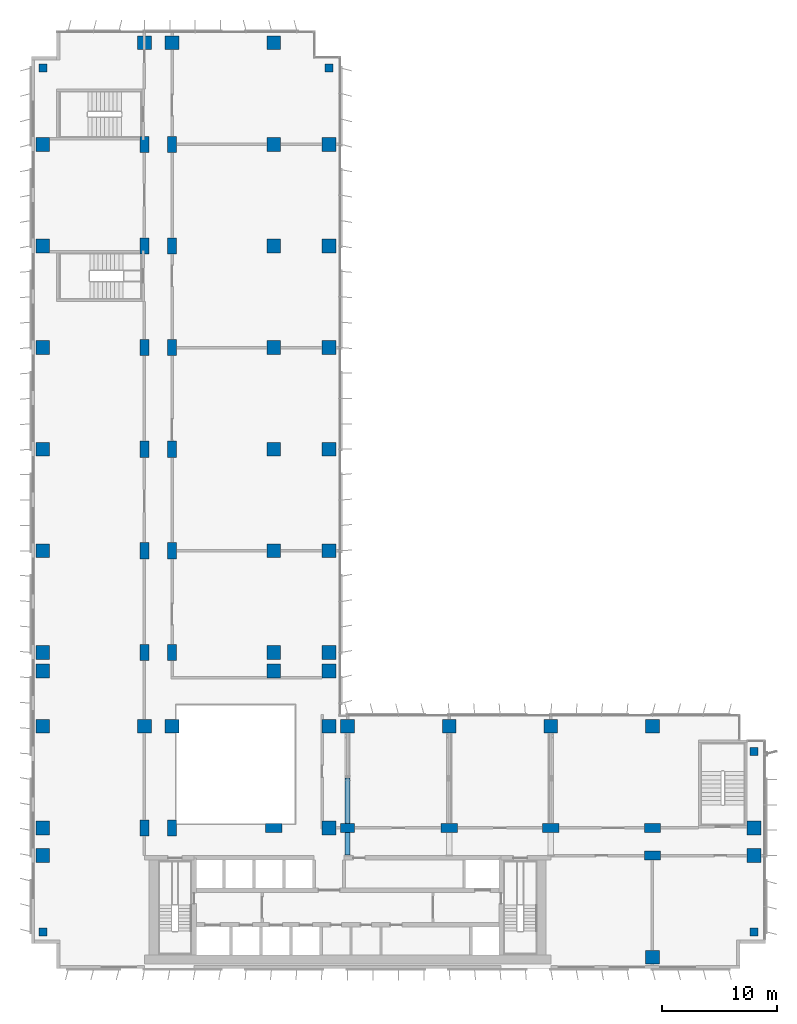
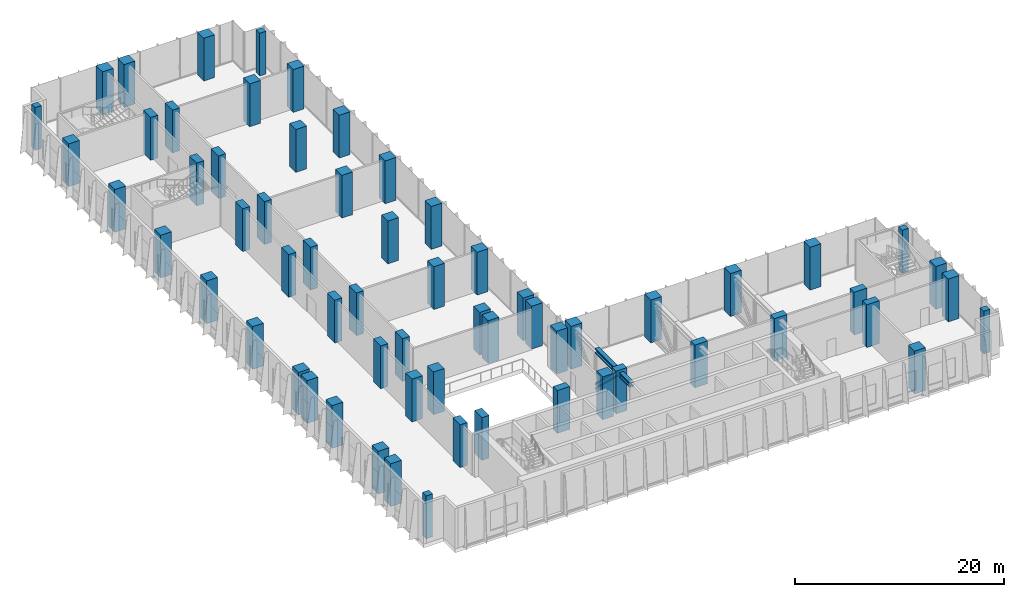
# One storey, part 1 of 21: 63 columns, 3 beams, 1 member.
"""IFC4 building model written with IfcOpenShell, lengths in metres."""

from ifc_helpers import new_model, si_unit, direction, frame, origin, origin_2d, place, context, subcontext, project, spatial, rectangle, i_section, extrude, material, material_profile, profile_set, type_object, element, save


model = new_model("IFC4")

# Units and contexts
model_context = context("Model", 3, precision=1e-05, world=origin(), true_north=direction((0.0, 1.0)))
body_context = subcontext(model_context, "Body", "Model", "MODEL_VIEW")
ifc_project = project(units=[si_unit("LENGTHUNIT", "METRE"), si_unit("AREAUNIT", "SQUARE_METRE"), si_unit("VOLUMEUNIT", "CUBIC_METRE"), si_unit("PLANEANGLEUNIT", "RADIAN"), si_unit("MASSUNIT", "GRAM", prefix="KILO")], contexts=[model_context])

# Site, building, storey
site_placement = place(None, origin())
site = spatial("IfcSite", under=ifc_project, at=site_placement, CompositionType="ELEMENT")
building_placement = place(site_placement, origin())
building = spatial("IfcBuilding", under=site, at=building_placement, Name="Kemantara Hotel Tower", CompositionType="ELEMENT")
storey_placement = place(building_placement, frame((0.0, 0.0, 133.300048828125)))
storey = spatial("IfcBuildingStorey", under=building, at=storey_placement, Name="L32", CompositionType="ELEMENT", Elevation=133.300048828125)

# Columns
ifc_material_1 = material(Name="Concrete fc 70 MPa", Category="concrete")
ifc_material_profile_1 = material_profile(ifc_material_1, rectangle(XDim=1.199951171875, YDim=1.199951171875, at=origin_2d()), Name="RC 1200X1200")
ifc_profile_set_1 = profile_set([ifc_material_profile_1], Name="Concrete fc 70 MPa")
column_type_1 = type_object("IfcColumnType", Name="RC COLUMN 1200X1200 FC70", PredefinedType="COLUMN", material=ifc_profile_set_1)
for number, where, z_axis, x_axis, name in (
    (1, (1.0, 9.800048828125, 0.0), (0.0, 0.0, 1.0), (1.0, 0.0, 0.0), "COLUMN 1/B L32"),
    (2, (1.0, 12.199951171875, 0.0), (0.0, 0.0, 1.0), (1.0, 0.0, 0.0), "COLUMN 1/BA L32"),
    (3, (1.0, 21.0, 0.0), (0.0, 0.0, 1.0), (1.0, 0.0, 0.0), "COLUMN 1/C L32"),
    (4, (1.0, 25.800048828125, 0.0), (0.0, 0.0, 1.0), (1.0, 0.0, 0.0), "COLUMN 1/CA L32"),
    (5, (1.0, 27.39990234375, 0.0), (0.0, 0.0, 1.0), (1.0, 0.0, 0.0), "COLUMN 1/D L32"),
    (6, (1.0, 36.199951171875, 0.0), (0.0, 0.0, 1.0), (1.0, 0.0, 0.0), "COLUMN 1/E L32"),
    (7, (1.0, 45.0, 0.0), (0.0, 0.0, 1.0), (1.0, 0.0, 0.0), "COLUMN 1/F L32"),
    (8, (1.0, 53.800048828125, 0.0), (0.0, 0.0, 1.0), (1.0, 0.0, 0.0), "COLUMN 1/G L32"),
    (9, (1.0, 62.60009765625, 0.0), (0.0, 0.0, 1.0), (1.0, 0.0, 0.0), "COLUMN 1/H L32"),
    (10, (1.0, 71.39990234375, 0.0), (0.0, 0.0, 1.0), (1.0, 0.0, 0.0), "COLUMN 1/J L32"),
    (11, (9.800048828125, 21.0, 0.0), (0.0, 0.0, 1.0), (1.0, 0.0, 0.0), "COLUMN 2/C L32"),
    (12, (9.800048828125, 80.199951171875, 0.0), (0.0, 0.0, 1.0), (1.0, 0.0, 0.0), "COLUMN 2/K L32"),
    (13, (12.199951171875, 21.0, 0.0), (0.0, 0.0, 1.0), (1.0, 0.0, 0.0), "COLUMN 2A/C L32"),
    (14, (12.199951171875, 80.199951171875, 0.0), (0.0, 0.0, 1.0), (1.0, 0.0, 0.0), "COLUMN 2A/K L32"),
    (15, (21.0, 25.800048828125, 0.0), (0.0, 0.0, 1.0), (1.0, 0.0, 0.0), "COLUMN 3/CA L32"),
    (16, (21.0, 27.39990234375, 0.0), (0.0, 0.0, 1.0), (1.0, 0.0, 0.0), "COLUMN 3/D L32"),
    (17, (21.0, 36.199951171875, 0.0), (0.0, 0.0, 1.0), (1.0, 0.0, 0.0), "COLUMN 3/E L32"),
    (18, (21.0, 45.0, 0.0), (0.0, 0.0, 1.0), (1.0, 0.0, 0.0), "COLUMN 3/F L32"),
    (19, (21.0, 53.800048828125, 0.0), (0.0, 0.0, 1.0), (1.0, 0.0, 0.0), "COLUMN 3/G L32"),
    (20, (21.0, 62.60009765625, 0.0), (0.0, 0.0, 1.0), (1.0, 0.0, 0.0), "COLUMN 3/H L32"),
    (21, (21.0, 71.39990234375, 0.0), (0.0, 0.0, 1.0), (1.0, 0.0, 0.0), "COLUMN 3/J L32"),
    (22, (21.0, 80.199951171875, 0.0), (0.0, 0.0, 1.0), (1.0, 0.0, 0.0), "COLUMN 3/K L32"),
    (23, (25.800048828125, 12.199951171875, 0.0), (0.0, 0.0, 1.0), (1.0, 0.0, 0.0), "COLUMN 3A/BA L32"),
    (24, (25.800048828125, 21.0, 0.0), (0.0, 0.0, 1.0), (1.0, 0.0, 0.0), "COLUMN 3A/C L32"),
    (25, (25.800048828125, 25.800048828125, 0.0), (0.0, 0.0, 1.0), (1.0, 0.0, 0.0), "COLUMN 3A/CA L32"),
    (26, (25.800048828125, 27.39990234375, 0.0), (0.0, 0.0, 1.0), (1.0, 0.0, 0.0), "COLUMN 3A/D L32"),
    (27, (25.800048828125, 36.199951171875, 0.0), (0.0, 0.0, 1.0), (1.0, 0.0, 0.0), "COLUMN 3A/E L32"),
    (28, (25.800048828125, 45.0, 0.0), (0.0, 0.0, 1.0), (1.0, 0.0, 0.0), "COLUMN 3A/F L32"),
    (29, (25.800048828125, 53.800048828125, 0.0), (0.0, 0.0, 1.0), (1.0, 0.0, 0.0), "COLUMN 3A/G L32"),
    (30, (25.800048828125, 62.60009765625, 0.0), (0.0, 0.0, 1.0), (1.0, 0.0, 0.0), "COLUMN 3A/H L32"),
    (31, (25.800048828125, 71.39990234375, 0.0), (0.0, 0.0, 1.0), (1.0, 0.0, 0.0), "COLUMN 3A/J L32"),
    (32, (27.39990234375, 21.0, 0.0), (0.0, 0.0, 1.0), (1.0, 0.0, 0.0), "COLUMN 4/C L32"),
    (33, (36.199951171875, 21.0, 0.0), (0.0, 0.0, 1.0), (1.0, 0.0, 0.0), "COLUMN 5/C L32"),
    (34, (45.0, 21.0, 0.0), (0.0, 0.0, 1.0), (1.0, 0.0, 0.0), "COLUMN 6/C L32"),
    (35, (53.800048828125, 1.0, 0.0), (0.0, 0.0, 1.0), (1.0, 0.0, 0.0), "COLUMN 7/A L32"),
    (36, (53.800048828125, 21.0, 0.0), (0.0, 0.0, 1.0), (1.0, 0.0, 0.0), "COLUMN 7/C L32"),
    (37, (62.60009765625, 9.800048828125, 0.0), (0.0, 0.0, 1.0), (1.0, 0.0, 0.0), "COLUMN 8/B L32"),
    (38, (62.60009765625, 12.199951171875, 0.0), (0.0, 0.0, 1.0), (1.0, 0.0, 0.0), "COLUMN 8/BA L32"),
):
    element("IfcColumn", number, at=place(storey_placement, frame(where, z_axis=z_axis, x_axis=x_axis)), inside=storey, type_object=column_type_1, Name=name, PredefinedType="COLUMN", context=body_context, shape_type="SweptSolid", body=[
        extrude(rectangle(XDim=1.199951171875, YDim=1.199951171875, at=origin_2d()), origin(), (0.0, 0.0, 1.0), 5.0),
    ])
ifc_material_profile_2 = material_profile(ifc_material_1, rectangle(XDim=1.199951171875, YDim=0.800048828125, at=origin_2d()), Name="RC 1200X800")
ifc_profile_set_2 = profile_set([ifc_material_profile_2], Name="Concrete fc 70 MPa")
column_type_2 = type_object("IfcColumnType", Name="RC COLUMN 1200X800 FC70", PredefinedType="COLUMN", material=ifc_profile_set_2)
column_placement = place(storey_placement, frame((27.39990234375, 12.199951171875, 0.0), z_axis=(0.0, 0.0, 1.0), x_axis=(1.0, 0.0, 0.0)))
element("IfcColumn", 39, at=column_placement, inside=storey, type_object=column_type_2, Name="COLUMN 4/BA L32", PredefinedType="COLUMN", context=body_context, shape_type="SweptSolid", body=[
    extrude(rectangle(XDim=1.199951171875, YDim=0.800048828125, at=origin_2d()), origin(), (0.0, 0.0, 1.0), 5.0),
])
ifc_material_profile_3 = material_profile(ifc_material_1, rectangle(XDim=1.39990234375, YDim=0.800048828125, at=origin_2d()), Name="RC 1400X800")
ifc_profile_set_3 = profile_set([ifc_material_profile_3], Name="Concrete fc 70 MPa")
column_type_3 = type_object("IfcColumnType", Name="RC COLUMN 1400X800 FC70", PredefinedType="COLUMN", material=ifc_profile_set_3)
for number, where, z_axis, x_axis, name in (
    (40, (9.800048828125, 12.199951171875, 0.0), (0.0, 0.0, 1.0), (0.0, 1.0, 0.0), "COLUMN 2/BA L32"),
    (41, (9.800048828125, 27.39990234375, 0.0), (0.0, 0.0, 1.0), (0.0, 1.0, 0.0), "COLUMN 2/D L32"),
    (42, (9.800048828125, 36.199951171875, 0.0), (0.0, 0.0, 1.0), (0.0, 1.0, 0.0), "COLUMN 2/E L32"),
    (43, (9.800048828125, 45.0, 0.0), (0.0, 0.0, 1.0), (0.0, 1.0, 0.0), "COLUMN 2/F L32"),
    (44, (9.800048828125, 53.800048828125, 0.0), (0.0, 0.0, 1.0), (0.0, 1.0, 0.0), "COLUMN 2/G L32"),
    (45, (9.800048828125, 62.60009765625, 0.0), (0.0, 0.0, 1.0), (0.0, 1.0, 0.0), "COLUMN 2/H L32"),
    (46, (9.800048828125, 71.39990234375, 0.0), (0.0, 0.0, 1.0), (0.0, 1.0, 0.0), "COLUMN 2/J L32"),
    (47, (12.199951171875, 12.199951171875, 0.0), (0.0, 0.0, 1.0), (0.0, 1.0, 0.0), "COLUMN 2A/BA L32"),
    (48, (12.199951171875, 27.39990234375, 0.0), (0.0, 0.0, 1.0), (0.0, 1.0, 0.0), "COLUMN 2A/D L32"),
    (49, (12.199951171875, 36.199951171875, 0.0), (0.0, 0.0, 1.0), (0.0, 1.0, 0.0), "COLUMN 2A/E L32"),
    (50, (12.199951171875, 45.0, 0.0), (0.0, 0.0, 1.0), (0.0, 1.0, 0.0), "COLUMN 2A/F L32"),
    (51, (12.199951171875, 53.800048828125, 0.0), (0.0, 0.0, 1.0), (0.0, 1.0, 0.0), "COLUMN 2A/G L32"),
    (52, (12.199951171875, 62.60009765625, 0.0), (0.0, 0.0, 1.0), (0.0, 1.0, 0.0), "COLUMN 2A/H L32"),
    (53, (12.199951171875, 71.39990234375, 0.0), (0.0, 0.0, 1.0), (0.0, 1.0, 0.0), "COLUMN 2A/J L32"),
    (54, (21.0, 12.199951171875, 0.0), (0.0, 0.0, 1.0), (1.0, 0.0, 0.0), "COLUMN 3/BA L32"),
    (55, (36.199951171875, 12.199951171875, 0.0), (0.0, 0.0, 1.0), (1.0, 0.0, 0.0), "COLUMN 5/BA L32"),
    (56, (45.0, 12.199951171875, 0.0), (0.0, 0.0, 1.0), (1.0, 0.0, 0.0), "COLUMN 6/BA L32"),
    (57, (53.800048828125, 9.800048828125, 0.0), (0.0, 0.0, 1.0), (1.0, 0.0, 0.0), "COLUMN 7/B L32"),
    (58, (53.800048828125, 12.199951171875, 0.0), (0.0, 0.0, 1.0), (1.0, 0.0, 0.0), "COLUMN 7/BA L32"),
):
    element("IfcColumn", number, at=place(storey_placement, frame(where, z_axis=z_axis, x_axis=x_axis)), inside=storey, type_object=column_type_3, Name=name, PredefinedType="COLUMN", context=body_context, shape_type="SweptSolid", body=[
        extrude(rectangle(XDim=1.39990234375, YDim=0.800048828125, at=origin_2d()), origin(), (0.0, 0.0, 1.0), 5.0),
    ])
ifc_material_profile_4 = material_profile(ifc_material_1, rectangle(XDim=0.699951171875, YDim=0.699951171875, at=origin_2d()), Name="RC 700X700")
ifc_profile_set_4 = profile_set([ifc_material_profile_4], Name="Concrete fc 70 MPa")
column_type_4 = type_object("IfcColumnType", Name="RC COLUMN 700X700 FC70", PredefinedType="COLUMN", material=ifc_profile_set_4)
for number, where, z_axis, x_axis, name in (
    (59, (1.0, 3.199951171875, 0.0), (0.0, 0.0, 1.0), (1.0, 0.0, 0.0), "COLUMN notch corner L32"),
    (60, (1.0, 78.0, 0.0), (0.0, 0.0, 1.0), (1.0, 0.0, 0.0), "COLUMN notch corner L32"),
    (61, (25.800048828125, 78.0, 0.0), (0.0, 0.0, 1.0), (1.0, 0.0, 0.0), "COLUMN notch corner L32"),
    (62, (62.60009765625, 3.199951171875, 0.0), (0.0, 0.0, 1.0), (1.0, 0.0, 0.0), "COLUMN notch corner L32"),
    (63, (62.60009765625, 18.800048828125, 0.0), (0.0, 0.0, 1.0), (1.0, 0.0, 0.0), "COLUMN notch corner L32"),
):
    element("IfcColumn", number, at=place(storey_placement, frame(where, z_axis=z_axis, x_axis=x_axis)), inside=storey, type_object=column_type_4, Name=name, PredefinedType="COLUMN", context=body_context, shape_type="SweptSolid", body=[
        extrude(rectangle(XDim=0.699951171875, YDim=0.699951171875, at=origin_2d()), origin(), (0.0, 0.0, 1.0), 5.0),
    ])

# Beams
ifc_material_2 = material(Name="Steel ASTM A992 Grade 50", Category="steel")
ifc_material_profile_5 = material_profile(ifc_material_2, i_section(OverallWidth=0.455078125, OverallDepth=0.569091796875, WebThickness=0.077880859375, FlangeThickness=0.125, at=origin_2d()), Name="W360X1086")
ifc_profile_set_5 = profile_set([ifc_material_profile_5], Name="Steel ASTM A992 Grade 50")
beam_type = type_object("IfcBeamType", Name="OUTRIGGER TRUSS L32 CHORD W360X1086", PredefinedType="BEAM", material=ifc_profile_set_5)
beam_1_placement = place(storey_placement, frame((27.39990234375, 12.60009765625, 0.284423828125), z_axis=(0.0, 1.0, 0.0), x_axis=(-1.0, 0.0, 0.0)))
element("IfcBeam", 64, at=beam_1_placement, inside=storey, type_object=beam_type, Name="OUTRIGGER L32 T1 bottom chord 2", PredefinedType="BEAM", context=body_context, shape_type="SweptSolid", body=[
    extrude(i_section(OverallWidth=0.455078125, OverallDepth=0.569091796875, WebThickness=0.077880859375, FlangeThickness=0.125, at=origin_2d()), origin(), (0.0, 0.0, 1.0), 3.89990234375),
])
beam_2_placement = place(storey_placement, frame((27.39990234375, 9.840087890625, 4.41552734375), z_axis=(0.0, 1.0, 0.0), x_axis=(-1.0, 0.0, 0.0)))
element("IfcBeam", 65, at=beam_2_placement, inside=storey, type_object=beam_type, Name="OUTRIGGER L32 T1 top chord 1", PredefinedType="BEAM", context=body_context, shape_type="SweptSolid", body=[
    extrude(i_section(OverallWidth=0.455078125, OverallDepth=0.569091796875, WebThickness=0.077880859375, FlangeThickness=0.125, at=origin_2d()), origin(), (0.0, 0.0, 1.0), 1.9599609375),
])
beam_3_placement = place(storey_placement, frame((27.39990234375, 12.60009765625, 4.41552734375), z_axis=(0.0, 1.0, 0.0), x_axis=(-1.0, 0.0, 0.0)))
element("IfcBeam", 66, at=beam_3_placement, inside=storey, type_object=beam_type, Name="OUTRIGGER L32 T1 top chord 2", PredefinedType="BEAM", context=body_context, shape_type="SweptSolid", body=[
    extrude(i_section(OverallWidth=0.455078125, OverallDepth=0.569091796875, WebThickness=0.077880859375, FlangeThickness=0.125, at=origin_2d()), origin(), (0.0, 0.0, 1.0), 3.89990234375),
])

# Member
ifc_material_profile_6 = material_profile(ifc_material_2, i_section(OverallWidth=0.43701171875, OverallDepth=0.512939453125, WebThickness=0.060546875, FlangeThickness=0.096923828125, at=origin_2d()), Name="W360X818")
ifc_profile_set_6 = profile_set([ifc_material_profile_6], Name="Steel ASTM A992 Grade 50")
member_type = type_object("IfcMemberType", Name="OUTRIGGER TRUSS L32 DIAGONAL W360X818", PredefinedType="BRACE", material=ifc_profile_set_6)
member_placement = place(storey_placement, frame((27.39990234375, 16.243896484375, 0.530517578125), z_axis=(0.0, -0.721141135239, 0.692788180518), x_axis=(1.0, 0.0, 0.0)))
element("IfcMember", 67, at=member_placement, inside=storey, type_object=member_type, Name="OUTRIGGER L32 T1 diagonal 2", PredefinedType="BRACE", context=body_context, shape_type="SweptSolid", body=[
    extrude(i_section(OverallWidth=0.43701171875, OverallDepth=0.512939453125, WebThickness=0.060546875, FlangeThickness=0.096923828125, at=origin_2d()), origin(), (0.0, 0.0, 1.0), 5.252685546875),
])

save(model, "model.ifc")
